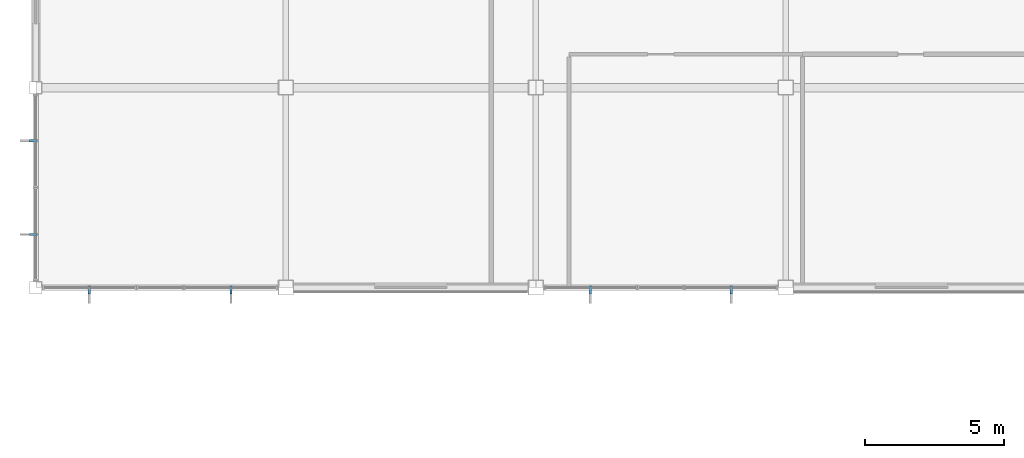
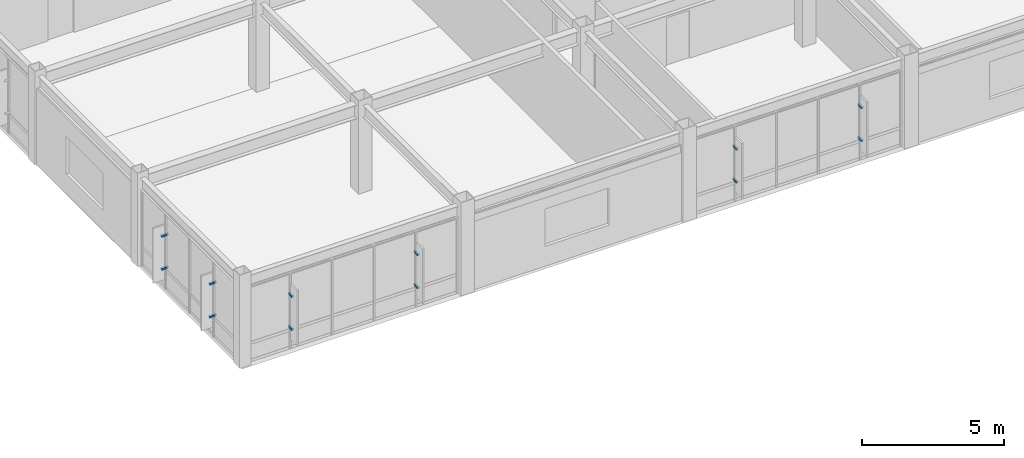
# One storey, part 109 of 122: 12 discrete accessories.
"""IFC4 building model written with IfcOpenShell, lengths in metres."""

from ifc_helpers import new_model, si_unit, direction, frame, origin, origin_2d, place, context, subcontext, project, spatial, rectangle, extrude, material, type_object, element, save


model = new_model("IFC4")

# Units and contexts
model_context = context("Model", 3, precision=1e-05, world=origin(), true_north=direction((0.0, 1.0)))
body_context = subcontext(model_context, "Body", "Model", "MODEL_VIEW")
ifc_project = project(units=[si_unit("LENGTHUNIT", "METRE"), si_unit("AREAUNIT", "SQUARE_METRE"), si_unit("VOLUMEUNIT", "CUBIC_METRE"), si_unit("PLANEANGLEUNIT", "RADIAN"), si_unit("MASSUNIT", "GRAM", prefix="KILO")], contexts=[model_context])

# Site, building, storey
site_placement = place(None, origin())
site = spatial("IfcSite", under=ifc_project, at=site_placement, CompositionType="ELEMENT")
building_placement = place(site_placement, origin())
building = spatial("IfcBuilding", under=site, at=building_placement, Name="Kazanami Central Library", CompositionType="ELEMENT")
storey_placement = place(building_placement, frame((0.0, 0.0, 4.800048828125)))
storey = spatial("IfcBuildingStorey", under=building, at=storey_placement, Name="L02", CompositionType="ELEMENT", Elevation=4.800048828125)

# Discrete accessories
ifc_material = material(Name="Stainless Steel SUS304", Category="steel")
discrete_accessory_type = type_object("IfcDiscreteAccessoryType", Name="ACC-BRK-1", PredefinedType="BRACKET", material=ifc_material)
for number, where, z_axis, x_axis, name in (
    (1, (1.925048828125, 57.510009765625, 0.88232421875), (0.0, 0.0, 1.0), (1.0, 0.0, 0.0), "Solar Fin Outrigger Bracket L02 S-J-00.1.1"),
    (2, (1.925048828125, 57.510009765625, 2.29248046875), (0.0, 0.0, 1.0), (1.0, 0.0, 0.0), "Solar Fin Outrigger Bracket L02 S-J-00.1.2"),
    (3, (7.02490234375, 57.510009765625, 0.88232421875), (0.0, 0.0, 1.0), (1.0, 0.0, 0.0), "Solar Fin Outrigger Bracket L02 S-J-00.2.1"),
    (4, (7.02490234375, 57.510009765625, 2.29248046875), (0.0, 0.0, 1.0), (1.0, 0.0, 0.0), "Solar Fin Outrigger Bracket L02 S-J-00.2.2"),
    (5, (19.965087890625, 57.510009765625, 0.88232421875), (0.0, 0.0, 1.0), (1.0, 0.0, 0.0), "Solar Fin Outrigger Bracket L02 S-J-02.1.1"),
    (6, (19.965087890625, 57.510009765625, 2.29248046875), (0.0, 0.0, 1.0), (1.0, 0.0, 0.0), "Solar Fin Outrigger Bracket L02 S-J-02.1.2"),
    (7, (25.034912109375, 57.510009765625, 0.88232421875), (0.0, 0.0, 1.0), (1.0, 0.0, 0.0), "Solar Fin Outrigger Bracket L02 S-J-02.2.1"),
    (8, (25.034912109375, 57.510009765625, 2.29248046875), (0.0, 0.0, 1.0), (1.0, 0.0, 0.0), "Solar Fin Outrigger Bracket L02 S-J-02.2.2"),
    (9, (-0.090087890625, 59.512451171875, 0.88232421875), (0.0, 0.0, 1.0), (0.0, 1.0, 0.0), "Solar Fin Outrigger Bracket L02 W-1-08.1.1"),
    (10, (-0.090087890625, 59.512451171875, 2.29248046875), (0.0, 0.0, 1.0), (0.0, 1.0, 0.0), "Solar Fin Outrigger Bracket L02 W-1-08.1.2"),
    (11, (-0.090087890625, 62.887451171875, 0.88232421875), (0.0, 0.0, 1.0), (0.0, 1.0, 0.0), "Solar Fin Outrigger Bracket L02 W-1-08.2.1"),
    (12, (-0.090087890625, 62.887451171875, 2.29248046875), (0.0, 0.0, 1.0), (0.0, 1.0, 0.0), "Solar Fin Outrigger Bracket L02 W-1-08.2.2"),
):
    element("IfcDiscreteAccessory", number, at=place(storey_placement, frame(where, z_axis=z_axis, x_axis=x_axis)), inside=storey, type_object=discrete_accessory_type, Name=name, PredefinedType="BRACKET", context=body_context, shape_type="SweptSolid", body=[
        extrude(rectangle(XDim=0.080078125, YDim=0.280029296875, at=origin_2d()), origin(), (0.0, 0.0, 1.0), 0.080078125),
    ])

save(model, "model.ifc")
